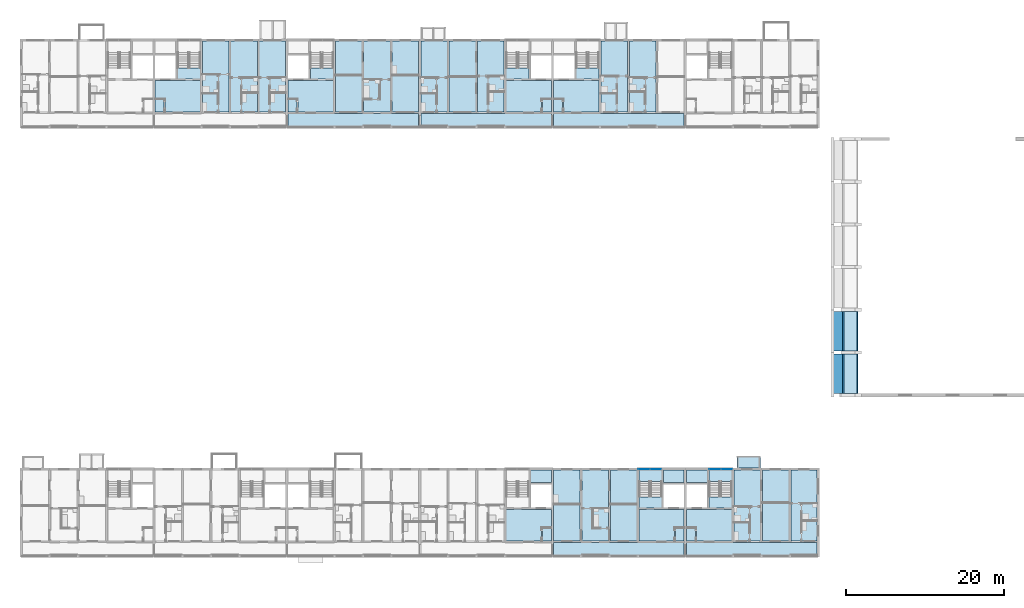
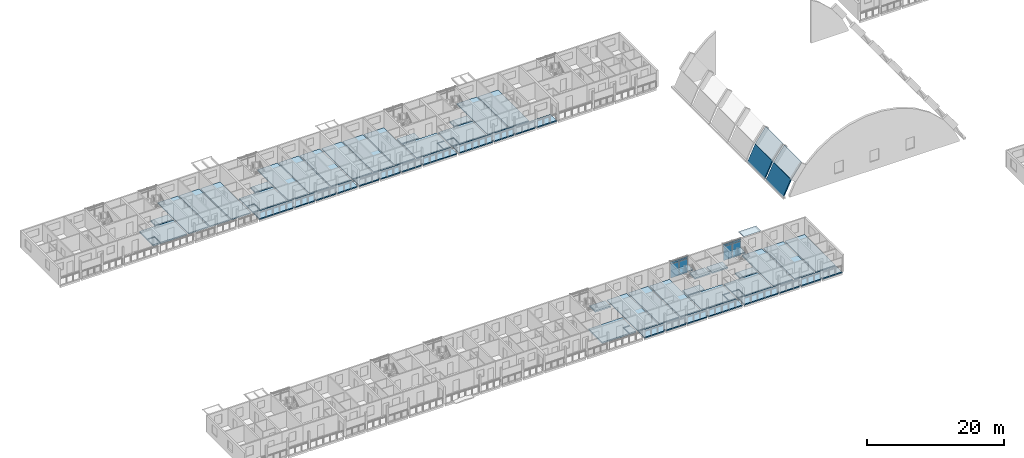
# One storey, part 25 of 100: 52 slabs, 8 plates, 4 elements without a shape of their own.
"""IFC4 building model written with IfcOpenShell, lengths in metres."""

from ifc_helpers import new_model, si_unit, direction, frame, origin, origin_2d, place, context, subcontext, project, spatial, polyline, rectangle, outline, extrude, material, layer, layer_set, type_object, element, aggregate, save


model = new_model("IFC4")

# Units and contexts
model_context = context("Model", 3, precision=1e-05, world=origin(), true_north=direction((0.0, 1.0)))
body_context = subcontext(model_context, "Body", "Model", "MODEL_VIEW")
ifc_project = project(units=[si_unit("LENGTHUNIT", "METRE"), si_unit("AREAUNIT", "SQUARE_METRE"), si_unit("VOLUMEUNIT", "CUBIC_METRE"), si_unit("PLANEANGLEUNIT", "RADIAN"), si_unit("MASSUNIT", "GRAM", prefix="KILO")], contexts=[model_context])

# Site, building, storey
site_placement = place(None, origin())
site = spatial("IfcSite", under=ifc_project, at=site_placement, CompositionType="ELEMENT")
building_placement = place(site_placement, origin())
building = spatial("IfcBuilding", under=site, at=building_placement, Name="Ridgestep Commons", CompositionType="ELEMENT")
storey_placement = place(building_placement, frame((0.0, 0.0, 9.0)))
storey = spatial("IfcBuildingStorey", under=building, at=storey_placement, Name="L03", CompositionType="ELEMENT", Elevation=9.0)

# Slabs
ifc_material_1 = material(Name="Precast concrete C40/50", Category="concrete")
ifc_layer_1 = layer(ifc_material_1, 0.199951171875)
ifc_layer_set_1 = layer_set([ifc_layer_1], Name="Gallery slab 200")
slab_type_1 = type_object("IfcSlabType", Name="Gallery slab 200", PredefinedType="FLOOR", material=ifc_layer_set_1)
slab_1_placement = place(storey_placement, frame((0.0, 0.0, -0.199951171875)))
element("IfcSlab", 1, at=slab_1_placement, inside=storey, type_object=slab_type_1, Name="Gallery slab A5 L03", PredefinedType="FLOOR", context=body_context, shape_type="SweptSolid", body=[
    extrude(outline(polyline([(95.85009765625, 13.550048828125), (79.35009765625, 13.550048828125), (79.35009765625, 11.75), (82.675048828125, 11.75), (82.675048828125, 12.0), (82.925048828125, 12.0), (82.925048828125, 11.75), (86.27490234375, 11.75), (86.27490234375, 12.0), (86.52490234375, 12.0), (86.52490234375, 11.75), (89.875, 11.75), (89.875, 12.0), (90.125, 12.0), (90.125, 11.75), (95.85009765625, 11.75), (95.85009765625, 13.550048828125)])), origin(), (0.0, 0.0, 1.0), 0.199951171875),
])
slab_2_placement = place(storey_placement, frame((0.0, 0.0, -0.199951171875)))
element("IfcSlab", 2, at=slab_2_placement, inside=storey, type_object=slab_type_1, Name="Gallery slab A6 L03", PredefinedType="FLOOR", context=body_context, shape_type="SweptSolid", body=[
    extrude(outline(polyline([(112.64990234375, 13.550048828125), (96.14990234375, 13.550048828125), (96.14990234375, 11.75), (101.875, 11.75), (101.875, 12.0), (102.125, 12.0), (102.125, 11.75), (105.47509765625, 11.75), (105.47509765625, 12.0), (105.72509765625, 12.0), (105.72509765625, 11.75), (109.074951171875, 11.75), (109.074951171875, 12.0), (109.324951171875, 12.0), (109.324951171875, 11.75), (112.64990234375, 11.75), (112.64990234375, 13.550048828125)])), origin(), (0.0, 0.0, 1.0), 0.199951171875),
])
slab_3_placement = place(storey_placement, frame((0.0, 0.0, -0.199951171875)))
element("IfcSlab", 3, at=slab_3_placement, inside=storey, type_object=slab_type_1, Name="Gallery slab B3 L03", PredefinedType="FLOOR", context=body_context, shape_type="SweptSolid", body=[
    extrude(outline(polyline([(62.25, 67.800048828125), (45.75, 67.800048828125), (45.75, 66.0), (51.47509765625, 66.0), (51.47509765625, 66.25), (51.72509765625, 66.25), (51.72509765625, 66.0), (55.074951171875, 66.0), (55.074951171875, 66.25), (55.324951171875, 66.25), (55.324951171875, 66.0), (58.675048828125, 66.0), (58.675048828125, 66.25), (58.925048828125, 66.25), (58.925048828125, 66.0), (62.25, 66.0), (62.25, 67.800048828125)])), origin(), (0.0, 0.0, 1.0), 0.199951171875),
])
slab_4_placement = place(storey_placement, frame((0.0, 0.0, -0.199951171875)))
element("IfcSlab", 4, at=slab_4_placement, inside=storey, type_object=slab_type_1, Name="Gallery slab B4 L03", PredefinedType="FLOOR", context=body_context, shape_type="SweptSolid", body=[
    extrude(outline(polyline([(79.050048828125, 67.800048828125), (62.550048828125, 67.800048828125), (62.550048828125, 66.0), (65.875, 66.0), (65.875, 66.25), (66.125, 66.25), (66.125, 66.0), (69.47509765625, 66.0), (69.47509765625, 66.25), (69.72509765625, 66.25), (69.72509765625, 66.0), (73.074951171875, 66.0), (73.074951171875, 66.25), (73.324951171875, 66.25), (73.324951171875, 66.0), (79.050048828125, 66.0), (79.050048828125, 67.800048828125)])), origin(), (0.0, 0.0, 1.0), 0.199951171875),
])
slab_5_placement = place(storey_placement, frame((0.0, 0.0, -0.199951171875)))
element("IfcSlab", 5, at=slab_5_placement, inside=storey, type_object=slab_type_1, Name="Gallery slab B5 L03", PredefinedType="FLOOR", context=body_context, shape_type="SweptSolid", body=[
    extrude(outline(polyline([(95.85009765625, 67.800048828125), (79.35009765625, 67.800048828125), (79.35009765625, 66.0), (85.074951171875, 66.0), (85.074951171875, 66.25), (85.324951171875, 66.25), (85.324951171875, 66.0), (88.675048828125, 66.0), (88.675048828125, 66.25), (88.925048828125, 66.25), (88.925048828125, 66.0), (92.27490234375, 66.0), (92.27490234375, 66.25), (92.52490234375, 66.25), (92.52490234375, 66.0), (95.85009765625, 66.0), (95.85009765625, 67.800048828125)])), origin(), (0.0, 0.0, 1.0), 0.199951171875),
])

# Curtain wall, plates
ifc_material_2 = material(Name="Aluminium 6063-T6 and glass", Category="aluminium")
curtain_wall_type = type_object("IfcCurtainWallType", Name="Curtain wall stair strip", PredefinedType="NOTDEFINED", material=ifc_material_2)
curtain_wall_1_placement = place(storey_placement, origin())
curtain_wall_1 = element("IfcCurtainWall", 6, at=curtain_wall_1_placement, inside=storey, type_object=curtain_wall_type, Name="Curtain wall A5C level 03", PredefinedType="NOTDEFINED")
ifc_material_3 = material(Name="Glass laminated 6/16/6 low-emissivity", Category="glass")
ifc_layer_2 = layer(ifc_material_3, 0.028076171875)
ifc_layer_set_2 = layer_set([ifc_layer_2], Name="Glazing panel 28")
plate_type_1 = type_object("IfcPlateType", Name="Glazing panel 28", PredefinedType="CURTAIN_PANEL", material=ifc_layer_set_2)
plate_1_placement = place(storey_placement, frame((90.771240234375, 22.830078125, 0.06005859375), z_axis=(0.0, 0.0, 1.0), x_axis=(1.0, 0.0, 0.0)))
plate_1 = element("IfcPlate", 7, at=plate_1_placement, type_object=plate_type_1, Name="CW1 panel 1.1", PredefinedType="CURTAIN_PANEL", context=body_context, shape_type="SweptSolid", body=[
    extrude(rectangle(XDim=1.422607421875, YDim=0.028076171875, at=origin_2d()), origin(), (0.0, 0.0, 1.0), 2.5),
])
plate_2_placement = place(storey_placement, frame((92.253662109375, 22.830078125, 0.06005859375), z_axis=(0.0, 0.0, 1.0), x_axis=(1.0, 0.0, 0.0)))
plate_2 = element("IfcPlate", 8, at=plate_2_placement, type_object=plate_type_1, Name="CW1 panel 2.1", PredefinedType="CURTAIN_PANEL", context=body_context, shape_type="SweptSolid", body=[
    extrude(rectangle(XDim=1.422607421875, YDim=0.028076171875, at=origin_2d()), origin(), (0.0, 0.0, 1.0), 2.5),
])

curtain_wall_2_placement = place(storey_placement, origin())
curtain_wall_2 = element("IfcCurtainWall", 9, at=curtain_wall_2_placement, inside=storey, type_object=curtain_wall_type, Name="Curtain wall A6C level 03", PredefinedType="NOTDEFINED")
plate_3_placement = place(storey_placement, frame((99.746337890625, 22.830078125, 0.06005859375), z_axis=(0.0, 0.0, 1.0), x_axis=(1.0, 0.0, 0.0)))
plate_3 = element("IfcPlate", 10, at=plate_3_placement, type_object=plate_type_1, Name="CW1 panel 1.1", PredefinedType="CURTAIN_PANEL", context=body_context, shape_type="SweptSolid", body=[
    extrude(rectangle(XDim=1.422607421875, YDim=0.028076171875, at=origin_2d()), origin(), (0.0, 0.0, 1.0), 2.5),
])
plate_4_placement = place(storey_placement, frame((101.228759765625, 22.830078125, 0.06005859375), z_axis=(0.0, 0.0, 1.0), x_axis=(1.0, 0.0, 0.0)))
plate_4 = element("IfcPlate", 11, at=plate_4_placement, type_object=plate_type_1, Name="CW1 panel 2.1", PredefinedType="CURTAIN_PANEL", context=body_context, shape_type="SweptSolid", body=[
    extrude(rectangle(XDim=1.422607421875, YDim=0.028076171875, at=origin_2d()), origin(), (0.0, 0.0, 1.0), 2.5),
])

# Slabs
ifc_material_4 = material(Name="Precast concrete C50/60", Category="concrete")
ifc_layer_3 = layer(ifc_material_4, 0.199951171875)
ifc_layer_set_3 = layer_set([ifc_layer_3], Name="Hall roof plank 200")
slab_type_2 = type_object("IfcSlabType", Name="Hall roof plank 200", PredefinedType="ROOF", material=ifc_layer_set_3)
slab_6_placement = place(storey_placement, frame((114.57421875, 32.39990234375, 0.107421875), z_axis=(-0.903137091467, 0.0, 0.429352295925), x_axis=(0.429352295925, 0.0, 0.903137091467)))
element("IfcSlab", 12, at=slab_6_placement, inside=storey, type_object=slab_type_2, Name="Hall barrel vault panel 1", PredefinedType="ROOF", context=body_context, shape_type="SweptSolid", body=[
    extrude(outline(polyline([(0.0, 0.0), (3.01655779628057, 0.0), (3.01655779628057, 5.0), (0.0, 5.0), (0.0, 0.0)])), origin(), (0.0, 0.0, -1.0), 0.199951171875),
])
slab_7_placement = place(storey_placement, frame((115.888916015625, 32.39990234375, 2.864013671875), z_axis=(-0.806402426746, 0.0, 0.591367166943), x_axis=(0.591367166943, 0.0, 0.806402426746)))
element("IfcSlab", 13, at=slab_7_placement, inside=storey, type_object=slab_type_2, Name="Hall barrel vault panel 2", PredefinedType="ROOF", context=body_context, shape_type="SweptSolid", body=[
    extrude(outline(polyline([(0.0, 0.0), (3.0211705918425382, 0.0), (3.0211705918425382, 5.0), (0.0, 5.0), (0.0, 0.0)])), origin(), (0.0, 0.0, -1.0), 0.199951171875),
])
slab_8_placement = place(storey_placement, frame((114.57421875, 37.800048828125, 0.107421875), z_axis=(-0.903137091467, 0.0, 0.429352295925), x_axis=(0.429352295925, 0.0, 0.903137091467)))
element("IfcSlab", 14, at=slab_8_placement, inside=storey, type_object=slab_type_2, Name="Hall barrel vault panel 13", PredefinedType="ROOF", context=body_context, shape_type="SweptSolid", body=[
    extrude(outline(polyline([(0.0, 0.0), (3.01655779628057, 0.0), (3.01655779628057, 5.0), (0.0, 5.0), (0.0, 0.0)])), origin(), (0.0, 0.0, -1.0), 0.199951171875),
])
slab_9_placement = place(storey_placement, frame((115.888916015625, 37.800048828125, 2.864013671875), z_axis=(-0.806402426746, 0.0, 0.591367166943), x_axis=(0.591367166943, 0.0, 0.806402426746)))
element("IfcSlab", 15, at=slab_9_placement, inside=storey, type_object=slab_type_2, Name="Hall barrel vault panel 14", PredefinedType="ROOF", context=body_context, shape_type="SweptSolid", body=[
    extrude(outline(polyline([(0.0, 0.0), (3.0211705918425382, 0.0), (3.0211705918425382, 5.0), (0.0, 5.0), (0.0, 0.0)])), origin(), (0.0, 0.0, -1.0), 0.199951171875),
])
ifc_material_5 = material(Name="Precast concrete C50/60", Category="concrete")
ifc_layer_4 = layer(ifc_material_5, 0.199951171875)
ifc_layer_set_4 = layer_set([ifc_layer_4], Name="Hollow-core plank 200")
slab_type_3 = type_object("IfcSlabType", Name="Hollow-core plank 200", PredefinedType="FLOOR", material=ifc_layer_set_4)
slab_10_placement = place(storey_placement, frame((0.0, 0.0, -0.199951171875)))
element("IfcSlab", 16, at=slab_10_placement, inside=storey, type_object=slab_type_3, Name="Floor plank A5T1 L03", PredefinedType="FLOOR", context=body_context, shape_type="SweptSolid", body=[
    extrude(outline(polyline([(82.675048828125, 13.75), (82.675048828125, 22.75), (79.35009765625, 22.75), (79.35009765625, 13.75), (82.675048828125, 13.75)])), origin(), (0.0, 0.0, 1.0), 0.199951171875),
])
slab_11_placement = place(storey_placement, frame((0.0, 0.0, -0.199951171875)))
element("IfcSlab", 17, at=slab_11_placement, inside=storey, type_object=slab_type_3, Name="Floor plank A5T2 L03", PredefinedType="FLOOR", context=body_context, shape_type="SweptSolid", body=[
    extrude(outline(polyline([(86.27490234375, 13.75), (86.27490234375, 22.75), (82.925048828125, 22.75), (82.925048828125, 13.75), (86.27490234375, 13.75)])), origin(), (0.0, 0.0, 1.0), 0.199951171875),
])
slab_12_placement = place(storey_placement, frame((0.0, 0.0, -0.199951171875)))
element("IfcSlab", 18, at=slab_12_placement, inside=storey, type_object=slab_type_3, Name="Floor plank A5T3 L03", PredefinedType="FLOOR", context=body_context, shape_type="SweptSolid", body=[
    extrude(outline(polyline([(89.875, 13.75), (89.875, 22.75), (86.52490234375, 22.75), (86.52490234375, 13.75), (89.875, 13.75)])), origin(), (0.0, 0.0, 1.0), 0.199951171875),
])
slab_13_placement = place(storey_placement, frame((0.0, 0.0, -0.199951171875)))
element("IfcSlab", 19, at=slab_13_placement, inside=storey, type_object=slab_type_3, Name="Floor plank A6T3 L03", PredefinedType="FLOOR", context=body_context, shape_type="SweptSolid", body=[
    extrude(outline(polyline([(105.47509765625, 13.75), (105.47509765625, 22.75), (102.125, 22.75), (102.125, 13.75), (105.47509765625, 13.75)])), origin(), (0.0, 0.0, 1.0), 0.199951171875),
])
slab_14_placement = place(storey_placement, frame((0.0, 0.0, -0.199951171875)))
element("IfcSlab", 20, at=slab_14_placement, inside=storey, type_object=slab_type_3, Name="Floor plank A6T2 L03", PredefinedType="FLOOR", context=body_context, shape_type="SweptSolid", body=[
    extrude(outline(polyline([(109.074951171875, 13.75), (109.074951171875, 22.75), (105.72509765625, 22.75), (105.72509765625, 13.75), (109.074951171875, 13.75)])), origin(), (0.0, 0.0, 1.0), 0.199951171875),
])
slab_15_placement = place(storey_placement, frame((0.0, 0.0, -0.199951171875)))
element("IfcSlab", 21, at=slab_15_placement, inside=storey, type_object=slab_type_3, Name="Floor plank A6T1 L03", PredefinedType="FLOOR", context=body_context, shape_type="SweptSolid", body=[
    extrude(outline(polyline([(112.64990234375, 13.75), (112.64990234375, 22.75), (109.324951171875, 22.75), (109.324951171875, 13.75), (112.64990234375, 13.75)])), origin(), (0.0, 0.0, 1.0), 0.199951171875),
])
slab_16_placement = place(storey_placement, frame((0.0, 0.0, -0.199951171875)))
element("IfcSlab", 22, at=slab_16_placement, inside=storey, type_object=slab_type_3, Name="Floor plank B2T3 L03", PredefinedType="FLOOR", context=body_context, shape_type="SweptSolid", body=[
    extrude(outline(polyline([(38.300048828125, 68.0), (38.300048828125, 77.0), (34.925048828125, 77.0), (34.925048828125, 68.0), (38.300048828125, 68.0)])), origin(), (0.0, 0.0, 1.0), 0.199951171875),
])
slab_17_placement = place(storey_placement, frame((0.0, 0.0, -0.199951171875)))
element("IfcSlab", 23, at=slab_17_placement, inside=storey, type_object=slab_type_3, Name="Floor plank B2T2 L03", PredefinedType="FLOOR", context=body_context, shape_type="SweptSolid", body=[
    extrude(outline(polyline([(41.89990234375, 68.0), (41.89990234375, 77.0), (38.5, 77.0), (38.5, 68.0), (41.89990234375, 68.0)])), origin(), (0.0, 0.0, 1.0), 0.199951171875),
])
slab_18_placement = place(storey_placement, frame((0.0, 0.0, -0.199951171875)))
element("IfcSlab", 24, at=slab_18_placement, inside=storey, type_object=slab_type_3, Name="Floor plank B2T1 L03", PredefinedType="FLOOR", context=body_context, shape_type="SweptSolid", body=[
    extrude(outline(polyline([(45.449951171875, 68.0), (45.449951171875, 77.0), (42.10009765625, 77.0), (42.10009765625, 68.0), (45.449951171875, 68.0)])), origin(), (0.0, 0.0, 1.0), 0.199951171875),
])
slab_19_placement = place(storey_placement, frame((0.0, 0.0, -0.199951171875)))
element("IfcSlab", 25, at=slab_19_placement, inside=storey, type_object=slab_type_3, Name="Floor plank B3T3 L03", PredefinedType="FLOOR", context=body_context, shape_type="SweptSolid", body=[
    extrude(outline(polyline([(55.10009765625, 68.0), (55.10009765625, 77.0), (51.72509765625, 77.0), (51.72509765625, 68.0), (55.10009765625, 68.0)])), origin(), (0.0, 0.0, 1.0), 0.199951171875),
])
slab_20_placement = place(storey_placement, frame((0.0, 0.0, -0.199951171875)))
element("IfcSlab", 26, at=slab_20_placement, inside=storey, type_object=slab_type_3, Name="Floor plank B3T2 L03", PredefinedType="FLOOR", context=body_context, shape_type="SweptSolid", body=[
    extrude(outline(polyline([(58.699951171875, 68.0), (58.699951171875, 77.0), (55.300048828125, 77.0), (55.300048828125, 68.0), (58.699951171875, 68.0)])), origin(), (0.0, 0.0, 1.0), 0.199951171875),
])
slab_21_placement = place(storey_placement, frame((0.0, 0.0, -0.199951171875)))
element("IfcSlab", 27, at=slab_21_placement, inside=storey, type_object=slab_type_3, Name="Floor plank B3T1 L03", PredefinedType="FLOOR", context=body_context, shape_type="SweptSolid", body=[
    extrude(outline(polyline([(62.25, 68.0), (62.25, 77.0), (58.89990234375, 77.0), (58.89990234375, 68.0), (62.25, 68.0)])), origin(), (0.0, 0.0, 1.0), 0.199951171875),
])
slab_22_placement = place(storey_placement, frame((0.0, 0.0, -0.199951171875)))
element("IfcSlab", 28, at=slab_22_placement, inside=storey, type_object=slab_type_3, Name="Floor plank B4T1 L03", PredefinedType="FLOOR", context=body_context, shape_type="SweptSolid", body=[
    extrude(outline(polyline([(65.89990234375, 68.0), (65.89990234375, 77.0), (62.550048828125, 77.0), (62.550048828125, 68.0), (65.89990234375, 68.0)])), origin(), (0.0, 0.0, 1.0), 0.199951171875),
])
slab_23_placement = place(storey_placement, frame((0.0, 0.0, -0.199951171875)))
element("IfcSlab", 29, at=slab_23_placement, inside=storey, type_object=slab_type_3, Name="Floor plank B4T2 L03", PredefinedType="FLOOR", context=body_context, shape_type="SweptSolid", body=[
    extrude(outline(polyline([(69.5, 68.0), (69.5, 77.0), (66.10009765625, 77.0), (66.10009765625, 68.0), (69.5, 68.0)])), origin(), (0.0, 0.0, 1.0), 0.199951171875),
])
slab_24_placement = place(storey_placement, frame((0.0, 0.0, -0.199951171875)))
element("IfcSlab", 30, at=slab_24_placement, inside=storey, type_object=slab_type_3, Name="Floor plank B4T3 L03", PredefinedType="FLOOR", context=body_context, shape_type="SweptSolid", body=[
    extrude(outline(polyline([(73.074951171875, 68.0), (73.074951171875, 77.0), (69.699951171875, 77.0), (69.699951171875, 68.0), (73.074951171875, 68.0)])), origin(), (0.0, 0.0, 1.0), 0.199951171875),
])
slab_25_placement = place(storey_placement, frame((0.0, 0.0, -0.199951171875)))
element("IfcSlab", 31, at=slab_25_placement, inside=storey, type_object=slab_type_3, Name="Floor plank B5T3 L03", PredefinedType="FLOOR", context=body_context, shape_type="SweptSolid", body=[
    extrude(outline(polyline([(88.699951171875, 68.0), (88.699951171875, 77.0), (85.324951171875, 77.0), (85.324951171875, 68.0), (88.699951171875, 68.0)])), origin(), (0.0, 0.0, 1.0), 0.199951171875),
])
slab_26_placement = place(storey_placement, frame((0.0, 0.0, -0.199951171875)))
element("IfcSlab", 32, at=slab_26_placement, inside=storey, type_object=slab_type_3, Name="Floor plank B5T2 L03", PredefinedType="FLOOR", context=body_context, shape_type="SweptSolid", body=[
    extrude(outline(polyline([(92.300048828125, 68.0), (92.300048828125, 77.0), (88.89990234375, 77.0), (88.89990234375, 68.0), (92.300048828125, 68.0)])), origin(), (0.0, 0.0, 1.0), 0.199951171875),
])
ifc_material_6 = material(Name="Precast concrete C50/60", Category="concrete")
ifc_layer_5 = layer(ifc_material_6, 0.25)
ifc_layer_set_5 = layer_set([ifc_layer_5], Name="Hollow-core plank 250")
slab_type_4 = type_object("IfcSlabType", Name="Hollow-core plank 250", PredefinedType="FLOOR", material=ifc_layer_set_5)
slab_27_placement = place(storey_placement, frame((0.0, 0.0, -0.25)))
element("IfcSlab", 33, at=slab_27_placement, inside=storey, type_object=slab_type_4, Name="Floor plank A4C L03", PredefinedType="FLOOR", context=body_context, shape_type="SweptSolid", body=[
    extrude(outline(polyline([(77.919921875, 15.469970703125), (79.050048828125, 15.469970703125), (79.050048828125, 17.75), (73.324951171875, 17.75), (73.324951171875, 13.75), (77.800048828125, 13.75), (77.800048828125, 15.469970703125), (77.919921875, 15.469970703125)])), origin(), (0.0, 0.0, 1.0), 0.25),
])
slab_28_placement = place(storey_placement, frame((0.0, 0.0, -0.25)))
element("IfcSlab", 34, at=slab_28_placement, inside=storey, type_object=slab_type_4, Name="Floor plank A4C L03", PredefinedType="FLOOR", context=body_context, shape_type="SweptSolid", body=[
    extrude(outline(polyline([(79.050048828125, 21.14990234375), (79.050048828125, 22.75), (76.425048828125, 22.75), (76.425048828125, 21.14990234375), (79.050048828125, 21.14990234375)])), origin(), (0.0, 0.0, 1.0), 0.25),
])
slab_29_placement = place(storey_placement, frame((0.0, 0.0, -0.25)))
element("IfcSlab", 35, at=slab_29_placement, inside=storey, type_object=slab_type_4, Name="Floor plank A4C L03", PredefinedType="FLOOR", context=body_context, shape_type="SweptSolid", body=[
    extrude(outline(polyline([(77.919921875, 13.75), (79.050048828125, 13.75), (79.050048828125, 15.35009765625), (77.919921875, 15.35009765625), (77.919921875, 13.75)])), origin(), (0.0, 0.0, 1.0), 0.25),
])
slab_30_placement = place(storey_placement, frame((0.0, 0.0, -0.25)))
element("IfcSlab", 36, at=slab_30_placement, inside=storey, type_object=slab_type_4, Name="Floor plank A5C L03", PredefinedType="FLOOR", context=body_context, shape_type="SweptSolid", body=[
    extrude(outline(polyline([(94.719970703125, 15.469970703125), (95.85009765625, 15.469970703125), (95.85009765625, 17.75), (90.125, 17.75), (90.125, 13.75), (94.60009765625, 13.75), (94.60009765625, 15.469970703125), (94.719970703125, 15.469970703125)])), origin(), (0.0, 0.0, 1.0), 0.25),
])
slab_31_placement = place(storey_placement, frame((0.0, 0.0, -0.25)))
element("IfcSlab", 37, at=slab_31_placement, inside=storey, type_object=slab_type_4, Name="Floor plank A5C L03", PredefinedType="FLOOR", context=body_context, shape_type="SweptSolid", body=[
    extrude(outline(polyline([(95.85009765625, 21.14990234375), (95.85009765625, 22.75), (93.22509765625, 22.75), (93.22509765625, 21.14990234375), (95.85009765625, 21.14990234375)])), origin(), (0.0, 0.0, 1.0), 0.25),
])
slab_32_placement = place(storey_placement, frame((0.0, 0.0, -0.25)))
element("IfcSlab", 38, at=slab_32_placement, inside=storey, type_object=slab_type_4, Name="Floor plank A5C L03", PredefinedType="FLOOR", context=body_context, shape_type="SweptSolid", body=[
    extrude(outline(polyline([(93.02490234375, 17.949951171875), (93.02490234375, 19.35009765625), (90.125, 19.35009765625), (90.125, 17.949951171875), (93.02490234375, 17.949951171875)])), origin(), (0.0, 0.0, 1.0), 0.25),
])
slab_33_placement = place(storey_placement, frame((0.0, 0.0, -0.25)))
element("IfcSlab", 39, at=slab_33_placement, inside=storey, type_object=slab_type_4, Name="Floor plank A5C L03", PredefinedType="FLOOR", context=body_context, shape_type="SweptSolid", body=[
    extrude(outline(polyline([(94.719970703125, 13.75), (95.85009765625, 13.75), (95.85009765625, 15.35009765625), (94.719970703125, 15.35009765625), (94.719970703125, 13.75)])), origin(), (0.0, 0.0, 1.0), 0.25),
])
slab_34_placement = place(storey_placement, frame((0.0, 0.0, -0.25)))
element("IfcSlab", 40, at=slab_34_placement, inside=storey, type_object=slab_type_4, Name="Floor plank A6C L03", PredefinedType="FLOOR", context=body_context, shape_type="SweptSolid", body=[
    extrude(outline(polyline([(97.39990234375, 13.75), (101.875, 13.75), (101.875, 17.75), (96.14990234375, 17.75), (96.14990234375, 15.469970703125), (97.280029296875, 15.469970703125), (97.39990234375, 15.469970703125), (97.39990234375, 13.75)])), origin(), (0.0, 0.0, 1.0), 0.25),
])
slab_35_placement = place(storey_placement, frame((0.0, 0.0, -0.25)))
element("IfcSlab", 41, at=slab_35_placement, inside=storey, type_object=slab_type_4, Name="Floor plank A6C L03", PredefinedType="FLOOR", context=body_context, shape_type="SweptSolid", body=[
    extrude(outline(polyline([(98.77490234375, 22.75), (96.14990234375, 22.75), (96.14990234375, 21.14990234375), (98.77490234375, 21.14990234375), (98.77490234375, 22.75)])), origin(), (0.0, 0.0, 1.0), 0.25),
])
slab_36_placement = place(storey_placement, frame((0.0, 0.0, -0.25)))
element("IfcSlab", 42, at=slab_36_placement, inside=storey, type_object=slab_type_4, Name="Floor plank A6C L03", PredefinedType="FLOOR", context=body_context, shape_type="SweptSolid", body=[
    extrude(outline(polyline([(101.875, 17.949951171875), (101.875, 19.35009765625), (98.97509765625, 19.35009765625), (98.97509765625, 17.949951171875), (101.875, 17.949951171875)])), origin(), (0.0, 0.0, 1.0), 0.25),
])
slab_37_placement = place(storey_placement, frame((0.0, 0.0, -0.25)))
element("IfcSlab", 43, at=slab_37_placement, inside=storey, type_object=slab_type_4, Name="Floor plank A6C L03", PredefinedType="FLOOR", context=body_context, shape_type="SweptSolid", body=[
    extrude(outline(polyline([(97.280029296875, 15.35009765625), (96.14990234375, 15.35009765625), (96.14990234375, 13.75), (97.280029296875, 13.75), (97.280029296875, 15.35009765625)])), origin(), (0.0, 0.0, 1.0), 0.25),
])
slab_38_placement = place(storey_placement, frame((0.0, 0.0, -0.25)))
element("IfcSlab", 44, at=slab_38_placement, inside=storey, type_object=slab_type_4, Name="Floor plank B2C L03", PredefinedType="FLOOR", context=body_context, shape_type="SweptSolid", body=[
    extrude(outline(polyline([(30.199951171875, 68.0), (34.675048828125, 68.0), (34.675048828125, 72.0), (28.949951171875, 72.0), (28.949951171875, 69.719970703125), (30.080078125, 69.719970703125), (30.199951171875, 69.719970703125), (30.199951171875, 68.0)])), origin(), (0.0, 0.0, 1.0), 0.25),
])
slab_39_placement = place(storey_placement, frame((0.0, 0.0, -0.25)))
element("IfcSlab", 45, at=slab_39_placement, inside=storey, type_object=slab_type_4, Name="Floor plank B2C L03", PredefinedType="FLOOR", context=body_context, shape_type="SweptSolid", body=[
    extrude(outline(polyline([(34.675048828125, 72.199951171875), (34.675048828125, 73.60009765625), (31.77490234375, 73.60009765625), (31.77490234375, 72.199951171875), (34.675048828125, 72.199951171875)])), origin(), (0.0, 0.0, 1.0), 0.25),
])
slab_40_placement = place(storey_placement, frame((0.0, 0.0, -0.25)))
element("IfcSlab", 46, at=slab_40_placement, inside=storey, type_object=slab_type_4, Name="Floor plank B2C L03", PredefinedType="FLOOR", context=body_context, shape_type="SweptSolid", body=[
    extrude(outline(polyline([(30.080078125, 69.60009765625), (28.949951171875, 69.60009765625), (28.949951171875, 68.0), (30.080078125, 68.0), (30.080078125, 69.60009765625)])), origin(), (0.0, 0.0, 1.0), 0.25),
])
slab_41_placement = place(storey_placement, frame((0.0, 0.0, -0.25)))
element("IfcSlab", 47, at=slab_41_placement, inside=storey, type_object=slab_type_4, Name="Floor plank B3C L03", PredefinedType="FLOOR", context=body_context, shape_type="SweptSolid", body=[
    extrude(outline(polyline([(47.0, 68.0), (51.47509765625, 68.0), (51.47509765625, 72.0), (45.75, 72.0), (45.75, 69.719970703125), (46.8798828125, 69.719970703125), (47.0, 69.719970703125), (47.0, 68.0)])), origin(), (0.0, 0.0, 1.0), 0.25),
])
slab_42_placement = place(storey_placement, frame((0.0, 0.0, -0.25)))
element("IfcSlab", 48, at=slab_42_placement, inside=storey, type_object=slab_type_4, Name="Floor plank B3C L03", PredefinedType="FLOOR", context=body_context, shape_type="SweptSolid", body=[
    extrude(outline(polyline([(51.47509765625, 72.199951171875), (51.47509765625, 73.60009765625), (48.574951171875, 73.60009765625), (48.574951171875, 72.199951171875), (51.47509765625, 72.199951171875)])), origin(), (0.0, 0.0, 1.0), 0.25),
])
slab_43_placement = place(storey_placement, frame((0.0, 0.0, -0.25)))
element("IfcSlab", 49, at=slab_43_placement, inside=storey, type_object=slab_type_4, Name="Floor plank B3C L03", PredefinedType="FLOOR", context=body_context, shape_type="SweptSolid", body=[
    extrude(outline(polyline([(46.8798828125, 69.60009765625), (45.75, 69.60009765625), (45.75, 68.0), (46.8798828125, 68.0), (46.8798828125, 69.60009765625)])), origin(), (0.0, 0.0, 1.0), 0.25),
])
slab_44_placement = place(storey_placement, frame((0.0, 0.0, -0.25)))
element("IfcSlab", 50, at=slab_44_placement, inside=storey, type_object=slab_type_4, Name="Floor plank B4C L03", PredefinedType="FLOOR", context=body_context, shape_type="SweptSolid", body=[
    extrude(outline(polyline([(77.919921875, 69.719970703125), (79.050048828125, 69.719970703125), (79.050048828125, 72.0), (73.324951171875, 72.0), (73.324951171875, 68.0), (77.800048828125, 68.0), (77.800048828125, 69.719970703125), (77.919921875, 69.719970703125)])), origin(), (0.0, 0.0, 1.0), 0.25),
])
slab_45_placement = place(storey_placement, frame((0.0, 0.0, -0.25)))
element("IfcSlab", 51, at=slab_45_placement, inside=storey, type_object=slab_type_4, Name="Floor plank B4C L03", PredefinedType="FLOOR", context=body_context, shape_type="SweptSolid", body=[
    extrude(outline(polyline([(76.22509765625, 72.199951171875), (76.22509765625, 73.60009765625), (73.324951171875, 73.60009765625), (73.324951171875, 72.199951171875), (76.22509765625, 72.199951171875)])), origin(), (0.0, 0.0, 1.0), 0.25),
])
slab_46_placement = place(storey_placement, frame((0.0, 0.0, -0.25)))
element("IfcSlab", 52, at=slab_46_placement, inside=storey, type_object=slab_type_4, Name="Floor plank B4C L03", PredefinedType="FLOOR", context=body_context, shape_type="SweptSolid", body=[
    extrude(outline(polyline([(77.919921875, 68.0), (79.050048828125, 68.0), (79.050048828125, 69.60009765625), (77.919921875, 69.60009765625), (77.919921875, 68.0)])), origin(), (0.0, 0.0, 1.0), 0.25),
])
slab_47_placement = place(storey_placement, frame((0.0, 0.0, -0.25)))
element("IfcSlab", 53, at=slab_47_placement, inside=storey, type_object=slab_type_4, Name="Floor plank B5C L03", PredefinedType="FLOOR", context=body_context, shape_type="SweptSolid", body=[
    extrude(outline(polyline([(80.60009765625, 68.0), (85.074951171875, 68.0), (85.074951171875, 72.0), (79.35009765625, 72.0), (79.35009765625, 69.719970703125), (80.47998046875, 69.719970703125), (80.60009765625, 69.719970703125), (80.60009765625, 68.0)])), origin(), (0.0, 0.0, 1.0), 0.25),
])
slab_48_placement = place(storey_placement, frame((0.0, 0.0, -0.25)))
element("IfcSlab", 54, at=slab_48_placement, inside=storey, type_object=slab_type_4, Name="Floor plank B5C L03", PredefinedType="FLOOR", context=body_context, shape_type="SweptSolid", body=[
    extrude(outline(polyline([(85.074951171875, 72.199951171875), (85.074951171875, 73.60009765625), (82.175048828125, 73.60009765625), (82.175048828125, 72.199951171875), (85.074951171875, 72.199951171875)])), origin(), (0.0, 0.0, 1.0), 0.25),
])
slab_49_placement = place(storey_placement, frame((0.0, 0.0, -0.25)))
element("IfcSlab", 55, at=slab_49_placement, inside=storey, type_object=slab_type_4, Name="Floor plank B5C L03", PredefinedType="FLOOR", context=body_context, shape_type="SweptSolid", body=[
    extrude(outline(polyline([(80.47998046875, 69.60009765625), (79.35009765625, 69.60009765625), (79.35009765625, 68.0), (80.47998046875, 68.0), (80.47998046875, 69.60009765625)])), origin(), (0.0, 0.0, 1.0), 0.25),
])

# Plate
ifc_material_7 = material(Name="Aluminium 6063-T6 and mineral wool", Category="aluminium")
ifc_layer_6 = layer(ifc_material_7, 0.0400390625)
ifc_layer_set_6 = layer_set([ifc_layer_6], Name="Spandrel panel 40")
plate_type_2 = type_object("IfcPlateType", Name="Spandrel panel 40", PredefinedType="CURTAIN_PANEL", material=ifc_layer_set_6)
plate_5_placement = place(storey_placement, frame((90.771240234375, 22.830078125, 2.6201171875), z_axis=(0.0, 0.0, 1.0), x_axis=(1.0, 0.0, 0.0)))
plate_5 = element("IfcPlate", 56, at=plate_5_placement, type_object=plate_type_2, Name="CW1 panel 1.2", PredefinedType="CURTAIN_PANEL", context=body_context, shape_type="SweptSolid", body=[
    extrude(rectangle(XDim=1.422607421875, YDim=0.0400390625, at=origin_2d()), origin(), (0.0, 0.0, 1.0), 0.320068359375),
])

plate_6_placement = place(storey_placement, frame((92.253662109375, 22.830078125, 2.6201171875), z_axis=(0.0, 0.0, 1.0), x_axis=(1.0, 0.0, 0.0)))
plate_6 = element("IfcPlate", 57, at=plate_6_placement, type_object=plate_type_2, Name="CW1 panel 2.2", PredefinedType="CURTAIN_PANEL", context=body_context, shape_type="SweptSolid", body=[
    extrude(rectangle(XDim=1.422607421875, YDim=0.0400390625, at=origin_2d()), origin(), (0.0, 0.0, 1.0), 0.320068359375),
])

aggregate(curtain_wall_1, [plate_1, plate_5, plate_2, plate_6])

plate_7_placement = place(storey_placement, frame((99.746337890625, 22.830078125, 2.6201171875), z_axis=(0.0, 0.0, 1.0), x_axis=(1.0, 0.0, 0.0)))
plate_7 = element("IfcPlate", 58, at=plate_7_placement, type_object=plate_type_2, Name="CW1 panel 1.2", PredefinedType="CURTAIN_PANEL", context=body_context, shape_type="SweptSolid", body=[
    extrude(rectangle(XDim=1.422607421875, YDim=0.0400390625, at=origin_2d()), origin(), (0.0, 0.0, 1.0), 0.320068359375),
])

plate_8_placement = place(storey_placement, frame((101.228759765625, 22.830078125, 2.6201171875), z_axis=(0.0, 0.0, 1.0), x_axis=(1.0, 0.0, 0.0)))
plate_8 = element("IfcPlate", 59, at=plate_8_placement, type_object=plate_type_2, Name="CW1 panel 2.2", PredefinedType="CURTAIN_PANEL", context=body_context, shape_type="SweptSolid", body=[
    extrude(rectangle(XDim=1.422607421875, YDim=0.0400390625, at=origin_2d()), origin(), (0.0, 0.0, 1.0), 0.320068359375),
])

aggregate(curtain_wall_2, [plate_3, plate_7, plate_4, plate_8])

# Stair, slab
ifc_material_8 = material(Name="Precast concrete C40/50", Category="concrete")
stair_type = type_object("IfcStairType", Name="Escape stair 1400", PredefinedType="HALF_TURN_STAIR", material=ifc_material_8)
stair_1_placement = place(storey_placement, origin())
stair_1 = element("IfcStair", 60, at=stair_1_placement, inside=storey, type_object=stair_type, Name="L03 Escape stair A5C", PredefinedType="HALF_TURN_STAIR")
ifc_material_9 = material(Name="Precast concrete C40/50", Category="concrete")
ifc_layer_7 = layer(ifc_material_9, 0.199951171875)
ifc_layer_set_7 = layer_set([ifc_layer_7], Name="Stair landing 200")
slab_type_5 = type_object("IfcSlabType", Name="Stair landing 200", PredefinedType="LANDING", material=ifc_layer_set_7)
slab_50_placement = place(storey_placement, frame((0.0, 0.0, 1.300048828125)))
slab_50 = element("IfcSlab", 61, at=slab_50_placement, type_object=slab_type_5, Name="A5C landing 1", PredefinedType="LANDING", context=body_context, shape_type="SweptSolid", body=[
    extrude(outline(polyline([(93.02490234375, 21.31005859375), (93.02490234375, 22.75), (90.125, 22.75), (90.125, 21.31005859375), (93.02490234375, 21.31005859375)])), origin(), (0.0, 0.0, 1.0), 0.199951171875),
])
aggregate(stair_1, [slab_50])

stair_2_placement = place(storey_placement, origin())
stair_2 = element("IfcStair", 62, at=stair_2_placement, inside=storey, type_object=stair_type, Name="L03 Escape stair A6C", PredefinedType="HALF_TURN_STAIR")
slab_51_placement = place(storey_placement, frame((0.0, 0.0, 1.300048828125)))
slab_51 = element("IfcSlab", 63, at=slab_51_placement, type_object=slab_type_5, Name="A6C landing 1", PredefinedType="LANDING", context=body_context, shape_type="SweptSolid", body=[
    extrude(outline(polyline([(101.875, 21.31005859375), (101.875, 22.75), (98.97509765625, 22.75), (98.97509765625, 21.31005859375), (101.875, 21.31005859375)])), origin(), (0.0, 0.0, 1.0), 0.199951171875),
])
aggregate(stair_2, [slab_51])

# Slab
ifc_material_10 = material(Name="Weathering steel S355J2W", Category="steel")
ifc_layer_8 = layer(ifc_material_10, 0.010009765625)
ifc_layer_set_8 = layer_set([ifc_layer_8], Name="Tray 3.0 x 1.5")
slab_type_6 = type_object("IfcSlabType", Name="Tray 3.0 x 1.5", PredefinedType="FLOOR", material=ifc_layer_set_8)
slab_52_placement = place(storey_placement, frame((0.0, 0.0, 2.989990234375)))
element("IfcSlab", 64, at=slab_52_placement, inside=storey, type_object=slab_type_6, Name="Tray deck A6T3-04", PredefinedType="FLOOR", context=body_context, shape_type="SweptSolid", body=[
    extrude(outline(polyline([(102.530029296875, 23.0), (105.469970703125, 23.0), (105.469970703125, 24.5), (102.530029296875, 24.5), (102.530029296875, 23.0)])), origin(), (0.0, 0.0, 1.0), 0.010009765625),
])

save(model, "model.ifc")
